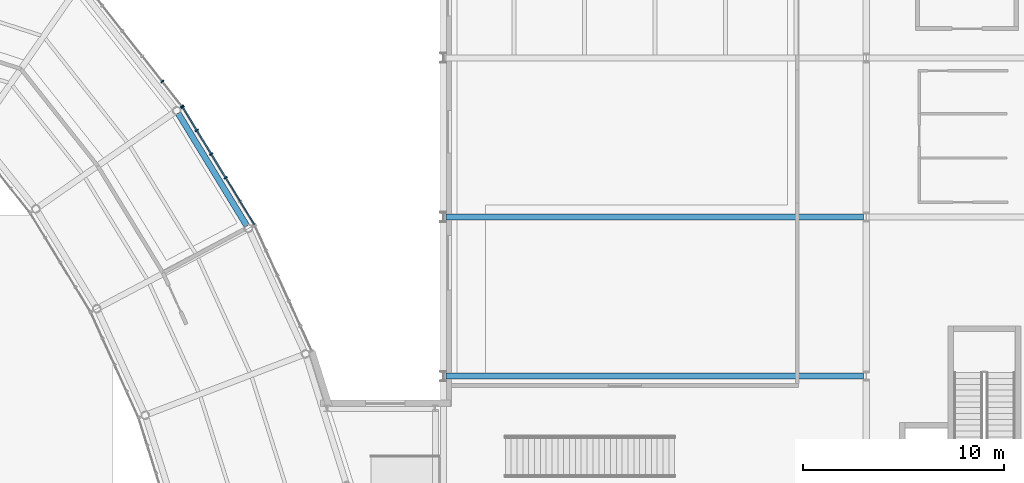
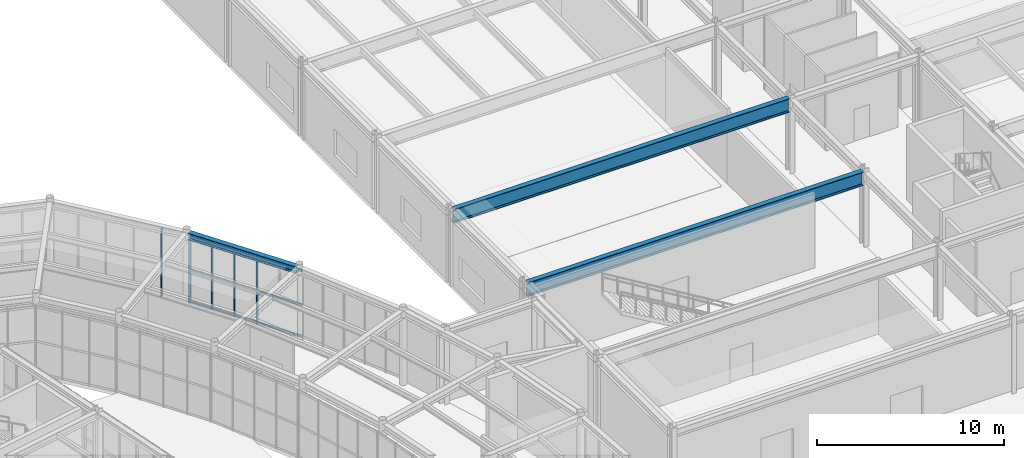
# One storey, part 51 of 97: 9 members, 3 beams, 2 elements without a shape of their own.
"""IFC4 building model written with IfcOpenShell, lengths in metres."""

from ifc_helpers import new_model, si_unit, direction, frame, origin, origin_2d, place, context, subcontext, project, spatial, rectangle, i_section, extrude, material, material_profile, profile_set, type_object, element, aggregate, save


model = new_model("IFC4")

# Units and contexts
model_context = context("Model", 3, precision=1e-05, world=origin(), true_north=direction((0.0, 1.0)))
body_context = subcontext(model_context, "Body", "Model", "MODEL_VIEW")
ifc_project = project(units=[si_unit("LENGTHUNIT", "METRE"), si_unit("AREAUNIT", "SQUARE_METRE"), si_unit("VOLUMEUNIT", "CUBIC_METRE"), si_unit("PLANEANGLEUNIT", "RADIAN"), si_unit("MASSUNIT", "GRAM", prefix="KILO")], contexts=[model_context])

# Site, building, storey
site_placement = place(None, origin())
site = spatial("IfcSite", under=ifc_project, at=site_placement, CompositionType="ELEMENT")
building_placement = place(site_placement, origin())
building = spatial("IfcBuilding", under=site, at=building_placement, Name="Varnklinge Art Gallery", CompositionType="ELEMENT")
storey_placement = place(building_placement, origin())
storey = spatial("IfcBuildingStorey", under=building, at=storey_placement, Name="L00", CompositionType="ELEMENT", Elevation=0.0)

# Beams
ifc_material_1 = material(Name="Steel S355", Category="steel")
ifc_material_profile_1 = material_profile(ifc_material_1, i_section(OverallWidth=0.300048828125, OverallDepth=0.89990234375, WebThickness=0.0185546875, FlangeThickness=0.034912109375, FilletRadius=0.030029296875, at=origin_2d()), Name="HEB 900")
ifc_profile_set_1 = profile_set([ifc_material_profile_1], Name="Steel S355")
beam_type_1 = type_object("IfcBeamType", Name="BM-02", PredefinedType="BEAM", material=ifc_profile_set_1)
for number, where, z_axis, x_axis, name in (
    (1, (114.5400390625, 74.0, 4.429931640625), (1.0, 0.0, 0.0), (0.0, 1.0, 0.0), "L00 BM-02 BM-V1-L01-X2-0"),
    (2, (114.5400390625, 81.89990234375, 4.429931640625), (1.0, 0.0, 0.0), (0.0, 1.0, 0.0), "L00 BM-02 BM-V1-L01-X3-0"),
):
    element("IfcBeam", number, at=place(storey_placement, frame(where, z_axis=z_axis, x_axis=x_axis)), inside=storey, type_object=beam_type_1, Name=name, PredefinedType="BEAM", context=body_context, shape_type="SweptSolid", body=[
        extrude(i_section(OverallWidth=0.300048828125, OverallDepth=0.89990234375, WebThickness=0.0185546875, FlangeThickness=0.034912109375, FilletRadius=0.030029296875, at=origin_2d()), origin(), (0.0, 0.0, 1.0), 20.719970703125),
    ])

# Curtain wall, members
ifc_material_2 = material(Name="Anodised Aluminium", Category="aluminium")
curtain_wall_type = type_object("IfcCurtainWallType", Name="CW-R01", PredefinedType="USERDEFINED", material=ifc_material_2)
curtain_wall_1_placement = place(storey_placement, origin())
curtain_wall_1 = element("IfcCurtainWall", 3, at=curtain_wall_1_placement, inside=storey, type_object=curtain_wall_type, Name="L00 Curtain Wall CW-V2O-L00-11", ObjectType="UNITISED CURTAIN WALL", PredefinedType="USERDEFINED")
ifc_material_3 = material(Name="Anodised Aluminium", Category="aluminium")
ifc_material_profile_2 = material_profile(ifc_material_3, rectangle(XDim=0.06494140625, YDim=0.179931640625, at=origin_2d()), Name="ALU 65x180")
ifc_profile_set_2 = profile_set([ifc_material_profile_2], Name="Anodised Aluminium")
member_type_1 = type_object("IfcMemberType", Name="MUL-01", PredefinedType="MULLION", material=ifc_profile_set_2)
member_1_placement = place(storey_placement, frame((103.590087890625, 83.846923828125, 0.0), z_axis=(0.0, 0.0, 1.0), x_axis=(-0.520860651188, 0.85364171761, 0.0)))
member_1 = element("IfcMember", 4, at=member_1_placement, type_object=member_type_1, Name="CW-V2O-L00-11 Mullion 3", PredefinedType="MULLION", context=body_context, shape_type="SweptSolid", body=[
    extrude(rectangle(XDim=0.06494140625, YDim=0.179931640625, at=origin_2d()), origin(), (0.0, 0.0, 1.0), 4.429931640625),
])
member_2_placement = place(storey_placement, frame((102.872314453125, 85.02294921875, 0.0), z_axis=(0.0, 0.0, 1.0), x_axis=(-0.520860651188, 0.85364171761, 0.0)))
member_2 = element("IfcMember", 5, at=member_2_placement, type_object=member_type_1, Name="CW-V2O-L00-11 Mullion 4", PredefinedType="MULLION", context=body_context, shape_type="SweptSolid", body=[
    extrude(rectangle(XDim=0.06494140625, YDim=0.179931640625, at=origin_2d()), origin(), (0.0, 0.0, 1.0), 4.429931640625),
])
member_3_placement = place(storey_placement, frame((102.15478515625, 86.198974609375, 0.0), z_axis=(0.0, 0.0, 1.0), x_axis=(-0.520860651188, 0.85364171761, 0.0)))
member_3 = element("IfcMember", 6, at=member_3_placement, type_object=member_type_1, Name="CW-V2O-L00-11 Mullion 5", PredefinedType="MULLION", context=body_context, shape_type="SweptSolid", body=[
    extrude(rectangle(XDim=0.06494140625, YDim=0.179931640625, at=origin_2d()), origin(), (0.0, 0.0, 1.0), 4.429931640625),
])
member_4_placement = place(storey_placement, frame((101.453857421875, 87.347412109375, 0.0), z_axis=(0.0, 0.0, 1.0), x_axis=(-0.520860651188, 0.85364171761, 0.0)))
member_4 = element("IfcMember", 7, at=member_4_placement, type_object=member_type_1, Name="CW-V2O-L00-11 Mullion 6", PredefinedType="MULLION", context=body_context, shape_type="SweptSolid", body=[
    extrude(rectangle(XDim=0.06494140625, YDim=0.179931640625, at=origin_2d()), origin(), (0.0, 0.0, 1.0), 4.429931640625),
])

curtain_wall_2_placement = place(storey_placement, origin())
curtain_wall_2 = element("IfcCurtainWall", 8, at=curtain_wall_2_placement, inside=storey, type_object=curtain_wall_type, Name="L00 Curtain Wall CW-V2O-L00-12", ObjectType="UNITISED CURTAIN WALL", PredefinedType="USERDEFINED")
member_5_placement = place(storey_placement, frame((101.416748046875, 87.400390625, 0.0), z_axis=(0.0, 0.0, 1.0), x_axis=(-0.620737354217, 0.784018582101, 0.0)))
member_5 = element("IfcMember", 9, at=member_5_placement, type_object=member_type_1, Name="CW-V2O-L00-12 Mullion 1", PredefinedType="MULLION", context=body_context, shape_type="SweptSolid", body=[
    extrude(rectangle(XDim=0.06494140625, YDim=0.179931640625, at=origin_2d()), origin(), (0.0, 0.0, 1.0), 4.429931640625),
])
member_6_placement = place(storey_placement, frame((100.443603515625, 88.62939453125, 0.0), z_axis=(0.0, 0.0, 1.0), x_axis=(-0.620737354217, 0.784018582101, 0.0)))
member_6 = element("IfcMember", 10, at=member_6_placement, type_object=member_type_1, Name="CW-V2O-L00-12 Mullion 2", PredefinedType="MULLION", context=body_context, shape_type="SweptSolid", body=[
    extrude(rectangle(XDim=0.06494140625, YDim=0.179931640625, at=origin_2d()), origin(), (0.0, 0.0, 1.0), 4.429931640625),
])
aggregate(curtain_wall_2, [member_5, member_6])

# Beam
ifc_material_4 = material(Name="Steel S355", Category="steel")
ifc_material_profile_3 = material_profile(ifc_material_4, i_section(OverallWidth=0.300048828125, OverallDepth=0.43994140625, WebThickness=0.011474609375, FlangeThickness=0.02099609375, FilletRadius=0.027099609375, at=origin_2d()), Name="HEA 450")
ifc_profile_set_3 = profile_set([ifc_material_profile_3], Name="Steel S355")
beam_type_2 = type_object("IfcBeamType", Name="SPB-02", PredefinedType="SPANDREL", material=ifc_profile_set_3)
beam_placement = place(storey_placement, frame((104.643310546875, 81.450439453125, 4.659912109375), z_axis=(-0.520911485476, 0.853610698327, 0.0), x_axis=(-0.853610698327, -0.520911485476, 0.0)))
element("IfcBeam", 11, at=beam_placement, inside=storey, type_object=beam_type_2, Name="L00 SPB-02 BM-V2-L01-O11", PredefinedType="SPANDREL", context=body_context, shape_type="SweptSolid", body=[
    extrude(i_section(OverallWidth=0.300048828125, OverallDepth=0.43994140625, WebThickness=0.011474609375, FlangeThickness=0.02099609375, FilletRadius=0.027099609375, at=origin_2d()), origin(), (0.0, 0.0, 1.0), 6.566162109375),
])

# Member
ifc_material_5 = material(Name="Anodised Aluminium", Category="aluminium")
ifc_material_profile_4 = material_profile(ifc_material_5, rectangle(XDim=0.06494140625, YDim=0.14990234375, at=origin_2d()), Name="ALU 65x150")
ifc_profile_set_4 = profile_set([ifc_material_profile_4], Name="Anodised Aluminium")
member_type_2 = type_object("IfcMemberType", Name="TRN-01", PredefinedType="USERDEFINED", material=ifc_profile_set_4)
member_7_placement = place(storey_placement, frame((105.008544921875, 81.5224609375, 0.074951171875), z_axis=(-0.520915902613, 0.853608002777, 0.0), x_axis=(-0.853608002777, -0.520915902613, 0.0)))
member_7 = element("IfcMember", 12, at=member_7_placement, type_object=member_type_2, Name="CW-V2O-L00-11 Transom 1", ObjectType="TRANSOM", PredefinedType="USERDEFINED", context=body_context, shape_type="SweptSolid", body=[
    extrude(rectangle(XDim=0.06494140625, YDim=0.14990234375, at=origin_2d()), origin(), (0.0, 0.0, 1.0), 6.823974609375),
])

member_8_placement = place(storey_placement, frame((105.008544921875, 81.5224609375, 2.12646484375), z_axis=(-0.520915902613, 0.853608002777, 0.0), x_axis=(-0.853608002777, -0.520915902613, 0.0)))
member_8 = element("IfcMember", 13, at=member_8_placement, type_object=member_type_2, Name="CW-V2O-L00-11 Transom 2", ObjectType="TRANSOM", PredefinedType="USERDEFINED", context=body_context, shape_type="SweptSolid", body=[
    extrude(rectangle(XDim=0.06494140625, YDim=0.14990234375, at=origin_2d()), origin(), (0.0, 0.0, 1.0), 6.823974609375),
])

member_9_placement = place(storey_placement, frame((105.008544921875, 81.5224609375, 4.35498046875), z_axis=(-0.520915902613, 0.853608002777, 0.0), x_axis=(-0.853608002777, -0.520915902613, 0.0)))
member_9 = element("IfcMember", 14, at=member_9_placement, type_object=member_type_2, Name="CW-V2O-L00-11 Transom 3", ObjectType="TRANSOM", PredefinedType="USERDEFINED", context=body_context, shape_type="SweptSolid", body=[
    extrude(rectangle(XDim=0.06494140625, YDim=0.14990234375, at=origin_2d()), origin(), (0.0, 0.0, 1.0), 6.823974609375),
])

aggregate(curtain_wall_1, [member_1, member_2, member_3, member_4, member_7, member_8, member_9])

save(model, "model.ifc")
